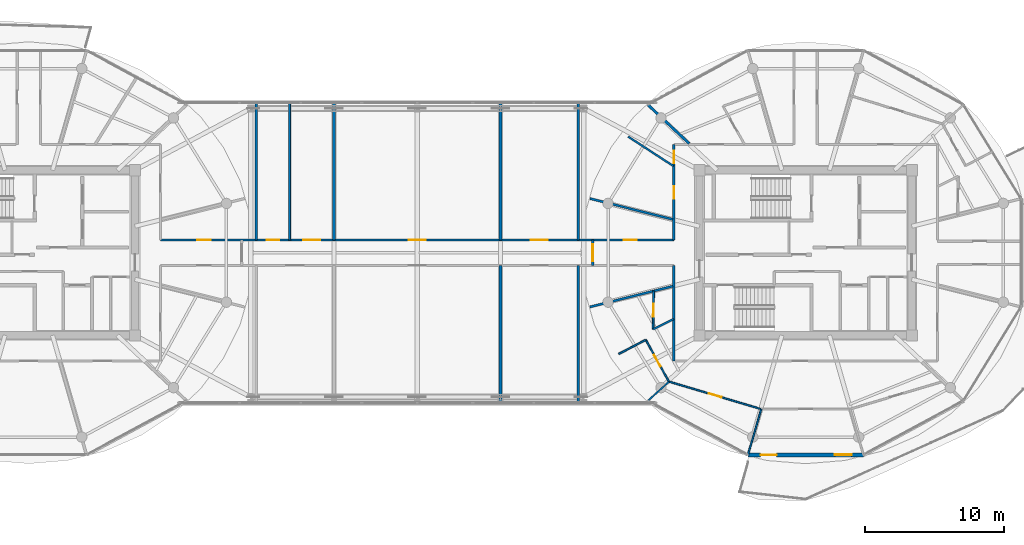
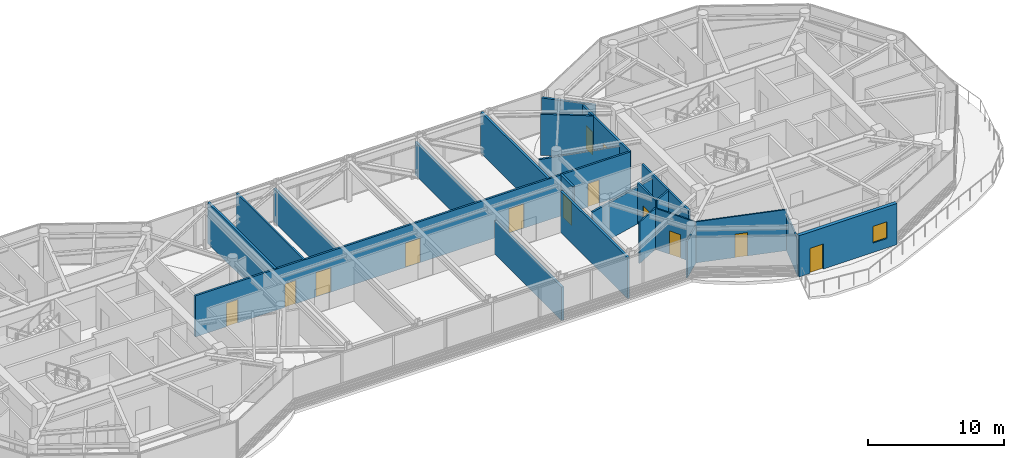
# One storey, part 16 of 24: 23 walls, 13 doors, 1 window, 14 openings.
"""IFC4 building model written with IfcOpenShell, lengths in metres."""

from ifc_helpers import new_model, si_unit, direction, frame, frame_2d, origin, place, context, subcontext, project, spatial, rectangle, extrude, source, transform, mapped, material, layer, layer_set, type_object, type_shapes, element, fill, save


model = new_model("IFC4")

# Units and contexts
model_context = context("Model", 3, precision=1e-05, world=origin(), true_north=direction((0.0, 1.0)))
body_context = subcontext(model_context, "Body", "Model", "MODEL_VIEW")
ifc_project = project(units=[si_unit("LENGTHUNIT", "METRE"), si_unit("AREAUNIT", "SQUARE_METRE"), si_unit("VOLUMEUNIT", "CUBIC_METRE"), si_unit("PLANEANGLEUNIT", "RADIAN"), si_unit("MASSUNIT", "GRAM", prefix="KILO")], contexts=[model_context])

# Site, building, storey
site_placement = place(None, origin())
site = spatial("IfcSite", under=ifc_project, at=site_placement, CompositionType="ELEMENT")
building_placement = place(site_placement, origin())
building = spatial("IfcBuilding", under=site, at=building_placement, Name="Norrkilde Senior Care Towers", CompositionType="ELEMENT")
storey_placement = place(building_placement, frame((0.0, 0.0, 203.800048828125)))
storey = spatial("IfcBuildingStorey", under=building, at=storey_placement, Name="L63", CompositionType="ELEMENT", Elevation=203.800048828125)

# Wall, openings, door, window
ifc_material_1 = material(Name="Precast concrete C45/55", Category="concrete")
ifc_layer_1 = layer(ifc_material_1, 0.2900390625)
ifc_layer_set_1 = layer_set([ifc_layer_1], Name="Precast concrete C45/55")
wall_type_1 = type_object("IfcWallType", Name="Winter Garden Facade Wall 290", PredefinedType="SOLIDWALL", material=ifc_layer_set_1)
shared_shape_1 = source(origin(), body_context, "Body", "SweptSolid", [
    extrude(rectangle(XDim=8.32373046875, YDim=0.2900390625, at=frame_2d((4.161865234375, 0.0))), origin(), (0.0, 0.0, 1.0), 3.7099609375),
])
type_shapes(wall_type_1, [shared_shape_1])
wall_1_placement = place(storey_placement, frame((32.161865234375, -14.566162109375, 0.0), z_axis=(0.0, 0.0, 1.0), x_axis=(-1.0, 0.0, 0.0)))
wall_1 = element("IfcWall", 1, at=wall_1_placement, inside=storey, type_object=wall_type_1, Name="L63 Drum E Balcony Access Wall 08", PredefinedType="SOLIDWALL", context=body_context, shape_type="MappedRepresentation", body=[
    mapped(shared_shape_1, transform((0.0, 0.0, 0.0), x_axis=(1.0, 0.0, 0.0), y_axis=(0.0, 1.0, 0.0), z_axis=(0.0, 0.0, 1.0), scale=1.0)),
])
opening_1_placement = place(wall_1_placement, frame((6.260009765625, 0.0, 0.0)))
opening_1 = element("IfcOpeningElement", 2, at=opening_1_placement, cuts=wall_1, Name="Opening D-09", PredefinedType="OPENING", context=body_context, shape_type="SweptSolid", body=[
    extrude(rectangle(XDim=1.14990234375, YDim=2.25, at=frame_2d((0.574951171875, 1.125))), frame((0.0, 0.155029296875, 0.0), z_axis=(0.0, -1.0, 0.0), x_axis=(1.0, 0.0, 0.0)), (0.0, 0.0, 1.0), 0.31005859375),
])
opening_2_placement = place(wall_1_placement, frame((0.85009765625, 0.0, 0.85009765625)))
opening_2 = element("IfcOpeningElement", 3, at=opening_2_placement, cuts=wall_1, Name="Opening WN-07", PredefinedType="OPENING", context=body_context, shape_type="SweptSolid", body=[
    extrude(rectangle(XDim=1.199951171875, YDim=1.5, at=frame_2d((0.60009765625, 0.75))), frame((0.0, 0.155029296875, 0.0), z_axis=(0.0, -1.0, 0.0), x_axis=(1.0, 0.0, 0.0)), (0.0, 0.0, 1.0), 0.31005859375),
])
ifc_material_2 = material(Name="Anodised Aluminium", Category="aluminium")
door_type_1 = type_object("IfcDoorType", Name="Terrace and Balcony Glazed Door 1150x2250", OperationType="NOTDEFINED", PredefinedType="DOOR", material=ifc_material_2)
shared_shape_2 = source(origin(), body_context, "Body", "SweptSolid", [
    extrude(rectangle(XDim=1.14990234375, YDim=2.25, at=frame_2d((0.574951171875, 1.125))), frame((0.0, 0.02490234375, 0.0), z_axis=(0.0, -1.0, 0.0), x_axis=(1.0, 0.0, 0.0)), (0.0, 0.0, 1.0), 0.050048828125),
])
type_shapes(door_type_1, [shared_shape_2])
door_1_placement = place(opening_1_placement, origin())
door_1 = element("IfcDoor", 4, at=door_1_placement, inside=storey, type_object=door_type_1, Name="L63 Drum E Outdoor Terrace Door 08", OperationType="SINGLE_SWING_LEFT", OverallHeight=2.25, OverallWidth=1.14990234375, PredefinedType="DOOR", context=body_context, shape_type="MappedRepresentation", body=[
    mapped(shared_shape_2, transform((0.0, 0.0, 0.0), x_axis=(1.0, 0.0, 0.0), y_axis=(0.0, 1.0, 0.0), z_axis=(0.0, 0.0, 1.0), scale=1.0)),
])
fill(opening_1, door_1)
ifc_material_3 = material(Name="Triple Low-E Insulated Glazing", Category="glass")
window_type = type_object("IfcWindowType", Name="Stairwell Smoke Vent Window 1200x1500", PartitioningType="SINGLE_PANEL", PredefinedType="WINDOW", material=ifc_material_3)
shared_shape_3 = source(origin(), body_context, "Body", "SweptSolid", [
    extrude(rectangle(XDim=1.199951171875, YDim=1.5, at=frame_2d((0.60009765625, 0.75))), frame((0.0, 0.030029296875, 0.0), z_axis=(0.0, -1.0, 0.0), x_axis=(1.0, 0.0, 0.0)), (0.0, 0.0, 1.0), 0.06005859375),
])
type_shapes(window_type, [shared_shape_3])
window_placement = place(opening_2_placement, origin())
window = element("IfcWindow", 5, at=window_placement, inside=storey, type_object=window_type, Name="L63 Drum E Winter Garden Window 08", OverallHeight=1.5, OverallWidth=1.199951171875, PartitioningType="SINGLE_PANEL", PredefinedType="WINDOW", context=body_context, shape_type="MappedRepresentation", body=[
    mapped(shared_shape_3, transform((0.0, 0.0, 0.0), x_axis=(1.0, 0.0, 0.0), y_axis=(0.0, 1.0, 0.0), z_axis=(0.0, 0.0, 1.0), scale=1.0)),
])
fill(opening_2, window)

# Wall
ifc_material_4 = material(Name="Gypsum Acoustic Board")
ifc_layer_2 = layer(ifc_material_4, 0.1650390625)
ifc_layer_set_2 = layer_set([ifc_layer_2], Name="Gypsum Acoustic Board")
wall_type_2 = type_object("IfcWallType", Name="Corridor Rated Partition 165", PredefinedType="PARTITIONING", material=ifc_layer_set_2)
shared_shape_4 = source(origin(), body_context, "Body", "SweptSolid", [
    extrude(rectangle(XDim=6.880126953125, YDim=0.1650390625, at=frame_2d((3.43994140625, 0.0))), origin(), (0.0, 0.0, 1.0), 3.695068359375),
])
wall_2_placement = place(storey_placement, frame((18.5, -7.800048828125, 0.0), z_axis=(0.0, 0.0, 1.0), x_axis=(0.0, 1.0, 0.0)))
element("IfcWall", 6, at=wall_2_placement, inside=storey, type_object=wall_type_2, Name="WL-INT-L63-E-CRW-W-0", PredefinedType="PARTITIONING", context=body_context, shape_type="MappedRepresentation", body=[
    mapped(shared_shape_4, transform((0.0, 0.0, 0.0), x_axis=(1.0, 0.0, 0.0), y_axis=(0.0, 1.0, 0.0), z_axis=(0.0, 0.0, 1.0), scale=1.0)),
])

# Wall, openings, doors
wall_3_placement = place(storey_placement, frame((18.5, 0.919921875, 0.0), z_axis=(0.0, 0.0, 1.0), x_axis=(0.0, 1.0, 0.0)))
wall_3 = element("IfcWall", 7, at=wall_3_placement, inside=storey, type_object=wall_type_2, Name="WL-INT-L63-E-CRW-W-1", PredefinedType="PARTITIONING", context=body_context, shape_type="MappedRepresentation", body=[
    mapped(shared_shape_4, transform((0.0, 0.0, 0.0), x_axis=(1.0, 0.0, 0.0), y_axis=(0.0, 1.0, 0.0), z_axis=(0.0, 0.0, 1.0), scale=1.0)),
])
opening_3_placement = place(wall_3_placement, frame((5.525146484375, 0.0, 0.0)))
opening_3 = element("IfcOpeningElement", 8, at=opening_3_placement, cuts=wall_3, Name="Opening D-08", PredefinedType="OPENING", context=body_context, shape_type="SweptSolid", body=[
    extrude(rectangle(XDim=0.919921875, YDim=2.10009765625, at=frame_2d((0.4599609375, 1.050048828125))), frame((0.0, 0.092529296875, 0.0), z_axis=(0.0, -1.0, 0.0), x_axis=(1.0, 0.0, 0.0)), (0.0, 0.0, 1.0), 0.18505859375),
])
opening_4_placement = place(wall_3_placement, frame((2.96240234375, 0.0, 0.0)))
opening_4 = element("IfcOpeningElement", 9, at=opening_4_placement, cuts=wall_3, Name="Opening D-08", PredefinedType="OPENING", context=body_context, shape_type="SweptSolid", body=[
    extrude(rectangle(XDim=0.919921875, YDim=2.10009765625, at=frame_2d((0.4599609375, 1.050048828125))), frame((0.0, 0.092529296875, 0.0), z_axis=(0.0, -1.0, 0.0), x_axis=(1.0, 0.0, 0.0)), (0.0, 0.0, 1.0), 0.18505859375),
])
ifc_material_5 = material(Name="Nordic Ash Timber", Category="wood")
door_type_2 = type_object("IfcDoorType", Name="Accessible Wet Room Door 920x2100", OperationType="NOTDEFINED", PredefinedType="DOOR", material=ifc_material_5)
shared_shape_5 = source(origin(), body_context, "Body", "SweptSolid", [
    extrude(rectangle(XDim=0.919921875, YDim=2.10009765625, at=frame_2d((0.4599609375, 1.050048828125))), frame((0.0, 0.02490234375, 0.0), z_axis=(0.0, -1.0, 0.0), x_axis=(1.0, 0.0, 0.0)), (0.0, 0.0, 1.0), 0.050048828125),
])
type_shapes(door_type_2, [shared_shape_5])
door_2_placement = place(opening_3_placement, frame((0.919921875, 0.0, 0.0), z_axis=(0.0, 0.0, 1.0), x_axis=(-1.0, 0.0, 0.0)))
door_2 = element("IfcDoor", 10, at=door_2_placement, inside=storey, type_object=door_type_2, Name="L63 Accessible Restroom Door", OperationType="SINGLE_SWING_LEFT", OverallHeight=2.10009765625, OverallWidth=0.919921875, PredefinedType="DOOR", context=body_context, shape_type="MappedRepresentation", body=[
    mapped(shared_shape_5, transform((0.0, 0.0, 0.0), x_axis=(1.0, 0.0, 0.0), y_axis=(0.0, 1.0, 0.0), z_axis=(0.0, 0.0, 1.0), scale=1.0)),
])
fill(opening_3, door_2)
door_3_placement = place(opening_4_placement, frame((0.919921875, 0.0, 0.0), z_axis=(0.0, 0.0, 1.0), x_axis=(-1.0, 0.0, 0.0)))
door_3 = element("IfcDoor", 11, at=door_3_placement, inside=storey, type_object=door_type_2, Name="L63 Public Restroom Door", OperationType="SINGLE_SWING_RIGHT", OverallHeight=2.10009765625, OverallWidth=0.919921875, PredefinedType="DOOR", context=body_context, shape_type="MappedRepresentation", body=[
    mapped(shared_shape_5, transform((0.0, 0.0, 0.0), x_axis=(1.0, 0.0, 0.0), y_axis=(0.0, 1.0, 0.0), z_axis=(0.0, 0.0, 1.0), scale=1.0)),
])
fill(opening_4, door_3)

# Walls
shared_shape_6 = source(origin(), body_context, "Body", "SweptSolid", [
    extrude(rectangle(XDim=6.1572265625, YDim=0.1650390625, at=frame_2d((3.07861328125, 0.0))), origin(), (0.0, 0.0, 1.0), 3.294921875),
])
for number, where, z_axis, x_axis, name in (
    (12, (18.419921875, 2.407470703125, 0.0), (0.0, 0.0, 1.0), (-0.969840867184, 0.243738984038, 0.0), "WL-INT-L63-E-DEM-05-0"),
    (13, (18.419921875, -2.407470703125, 0.0), (0.0, 0.0, 1.0), (-0.969840867184, -0.243738984038, 0.0), "WL-INT-L63-E-DEM-06-0"),
):
    element("IfcWall", number, at=place(storey_placement, frame(where, z_axis=z_axis, x_axis=x_axis)), inside=storey, type_object=wall_type_2, Name=name, PredefinedType="PARTITIONING", context=body_context, shape_type="MappedRepresentation", body=[
        mapped(shared_shape_6, transform((0.0, 0.0, 0.0), x_axis=(1.0, 0.0, 0.0), y_axis=(0.0, 1.0, 0.0), z_axis=(0.0, 0.0, 1.0), scale=1.0)),
    ])
ifc_layer_3 = layer(ifc_material_4, 0.18994140625)
ifc_layer_set_3 = layer_set([ifc_layer_3], Name="Gypsum Acoustic Board")
wall_type_3 = type_object("IfcWallType", Name="Unit Demising Acoustic Wall 190", PredefinedType="PARTITIONING", material=ifc_layer_set_3)
shared_shape_7 = source(origin(), body_context, "Body", "SweptSolid", [
    extrude(rectangle(XDim=4.089111328125, YDim=0.18994140625, at=frame_2d((2.04443359375, 0.0))), origin(), (0.0, 0.0, 1.0), 3.294921875),
])
wall_4_placement = place(storey_placement, frame((19.59814453125, 7.8798828125, 0.0), z_axis=(0.0, 0.0, 1.0), x_axis=(-0.729401273609, 0.684086092577, 0.0)))
element("IfcWall", 14, at=wall_4_placement, inside=storey, type_object=wall_type_3, Name="WL-INT-L63-E-DEM-04-0", PredefinedType="PARTITIONING", context=body_context, shape_type="MappedRepresentation", body=[
    mapped(shared_shape_7, transform((0.0, 0.0, 0.0), x_axis=(1.0, 0.0, 0.0), y_axis=(0.0, 1.0, 0.0), z_axis=(0.0, 0.0, 1.0), scale=1.0)),
])
ifc_layer_4 = layer(ifc_material_4, 0.139892578125)
ifc_layer_set_4 = layer_set([ifc_layer_4], Name="Gypsum Acoustic Board")
wall_type_4 = type_object("IfcWallType", Name="En-suite Wet Room Wall 140", PredefinedType="PARTITIONING", material=ifc_layer_set_4)
shared_shape_8 = source(origin(), body_context, "Body", "SweptSolid", [
    extrude(rectangle(XDim=3.903564453125, YDim=0.139892578125, at=frame_2d((1.95166015625, 0.0))), origin(), (0.0, 0.0, 1.0), 3.695068359375),
])
wall_5_placement = place(storey_placement, frame((18.469970703125, 6.245849609375, 0.0), z_axis=(0.0, 0.0, 1.0), x_axis=(-0.838024687996, 0.545632314209, 0.0)))
element("IfcWall", 15, at=wall_5_placement, inside=storey, type_object=wall_type_4, Name="WL-INT-L63-E-MID-04", PredefinedType="PARTITIONING", context=body_context, shape_type="MappedRepresentation", body=[
    mapped(shared_shape_8, transform((0.0, 0.0, 0.0), x_axis=(1.0, 0.0, 0.0), y_axis=(0.0, 1.0, 0.0), z_axis=(0.0, 0.0, 1.0), scale=1.0)),
])
ifc_layer_5 = layer(ifc_material_4, 0.114990234375)
ifc_layer_set_5 = layer_set([ifc_layer_5], Name="Gypsum Acoustic Board")
wall_type_5 = type_object("IfcWallType", Name="Internal Room Partition 115", PredefinedType="PARTITIONING", material=ifc_layer_set_5)
shared_shape_9 = source(origin(), body_context, "Body", "SweptSolid", [
    extrude(rectangle(XDim=2.071533203125, YDim=0.114990234375, at=frame_2d((1.03564453125, 0.0))), origin(), (0.0, 0.0, 1.0), 3.294921875),
])
wall_6_placement = place(storey_placement, frame((18.1513671875, -9.287109375, 0.0), z_axis=(0.0, 0.0, 1.0), x_axis=(-0.741410125356, -0.671052178314, 0.0)))
element("IfcWall", 16, at=wall_6_placement, inside=storey, type_object=wall_type_5, Name="WL-INT-L63-E-UBR-06-1", PredefinedType="PARTITIONING", context=body_context, shape_type="MappedRepresentation", body=[
    mapped(shared_shape_9, transform((0.0, 0.0, 0.0), x_axis=(1.0, 0.0, 0.0), y_axis=(0.0, 1.0, 0.0), z_axis=(0.0, 0.0, 1.0), scale=1.0)),
])
shared_shape_10 = source(origin(), body_context, "Body", "SweptSolid", [
    extrude(rectangle(XDim=1.638427734375, YDim=0.139892578125, at=frame_2d((0.8193359375, 0.0))), origin(), (0.0, 0.0, 1.0), 3.695068359375),
])
wall_7_placement = place(storey_placement, frame((18.469970703125, -4.7783203125, 0.0), z_axis=(0.0, 0.0, 1.0), x_axis=(-0.893919977945, -0.448226586707, 0.0)))
element("IfcWall", 17, at=wall_7_placement, inside=storey, type_object=wall_type_4, Name="WL-INT-L63-E-UBTS-06", PredefinedType="PARTITIONING", context=body_context, shape_type="MappedRepresentation", body=[
    mapped(shared_shape_10, transform((0.0, 0.0, 0.0), x_axis=(1.0, 0.0, 0.0), y_axis=(0.0, 1.0, 0.0), z_axis=(0.0, 0.0, 1.0), scale=1.0)),
])

# Wall, opening, door
shared_shape_11 = source(origin(), body_context, "Body", "SweptSolid", [
    extrude(rectangle(XDim=2.7587890625, YDim=0.139892578125, at=frame_2d((1.37939453125, 0.0))), origin(), (0.0, 0.0, 1.0), 3.695068359375),
])
wall_8_placement = place(storey_placement, frame((17.00537109375, -5.5126953125, 0.0), z_axis=(0.0, 0.0, 1.0), x_axis=(0.01194710728, 0.999928630767, 0.0)))
wall_8 = element("IfcWall", 18, at=wall_8_placement, inside=storey, type_object=wall_type_4, Name="WL-INT-L63-E-UBTF-06", PredefinedType="PARTITIONING", context=body_context, shape_type="MappedRepresentation", body=[
    mapped(shared_shape_11, transform((0.0, 0.0, 0.0), x_axis=(1.0, 0.0, 0.0), y_axis=(0.0, 1.0, 0.0), z_axis=(0.0, 0.0, 1.0), scale=1.0)),
])
opening_5_placement = place(wall_8_placement, frame((0.91943359375, 0.0, 0.0)))
opening_5 = element("IfcOpeningElement", 19, at=opening_5_placement, cuts=wall_8, Name="Opening D-08", PredefinedType="OPENING", context=body_context, shape_type="SweptSolid", body=[
    extrude(rectangle(XDim=0.919921875, YDim=2.10009765625, at=frame_2d((0.4599609375, 1.050048828125))), frame((0.0, 0.079833984375, 0.0), z_axis=(0.0, -1.0, 0.0), x_axis=(1.0, 0.0, 0.0)), (0.0, 0.0, 1.0), 0.159912109375),
])
door_4_placement = place(opening_5_placement, origin())
door_4 = element("IfcDoor", 20, at=door_4_placement, inside=storey, type_object=door_type_2, Name="Apartment 63D Bathroom Door", OperationType="SINGLE_SWING_RIGHT", OverallHeight=2.10009765625, OverallWidth=0.919921875, PredefinedType="DOOR", context=body_context, shape_type="MappedRepresentation", body=[
    mapped(shared_shape_5, transform((0.0, 0.0, 0.0), x_axis=(1.0, 0.0, 0.0), y_axis=(0.0, 1.0, 0.0), z_axis=(0.0, 0.0, 1.0), scale=1.0)),
])
fill(opening_5, door_4)

# Wall
shared_shape_12 = source(origin(), body_context, "Body", "SweptSolid", [
    extrude(rectangle(XDim=2.193115234375, YDim=0.114990234375, at=frame_2d((1.0966796875, 0.0))), origin(), (0.0, 0.0, 1.0), 3.695068359375),
])
wall_9_placement = place(storey_placement, frame((16.474609375, -6.27490234375, 0.0), z_axis=(0.0, 0.0, 1.0), x_axis=(-0.885783595046, -0.464098505435, 0.0)))
element("IfcWall", 21, at=wall_9_placement, inside=storey, type_object=wall_type_5, Name="WL-INT-L63-E-UKTS-06", PredefinedType="PARTITIONING", context=body_context, shape_type="MappedRepresentation", body=[
    mapped(shared_shape_12, transform((0.0, 0.0, 0.0), x_axis=(1.0, 0.0, 0.0), y_axis=(0.0, 1.0, 0.0), z_axis=(0.0, 0.0, 1.0), scale=1.0)),
])

# Wall, opening, door
shared_shape_13 = source(origin(), body_context, "Body", "SweptSolid", [
    extrude(rectangle(XDim=3.4501953125, YDim=0.114990234375, at=frame_2d((1.72509765625, 0.0))), origin(), (0.0, 0.0, 1.0), 3.695068359375),
])
wall_10_placement = place(storey_placement, frame((16.474609375, -6.27490234375, 0.0), z_axis=(0.0, 0.0, 1.0), x_axis=(0.483659007882, -0.875256513312, 0.0)))
wall_10 = element("IfcWall", 22, at=wall_10_placement, inside=storey, type_object=wall_type_5, Name="WL-INT-L63-E-UKTF-06", PredefinedType="PARTITIONING", context=body_context, shape_type="MappedRepresentation", body=[
    mapped(shared_shape_13, transform((0.0, 0.0, 0.0), x_axis=(1.0, 0.0, 0.0), y_axis=(0.0, 1.0, 0.0), z_axis=(0.0, 0.0, 1.0), scale=1.0)),
])
opening_6_placement = place(wall_10_placement, frame((1.25, 0.0, 0.0)))
opening_6 = element("IfcOpeningElement", 23, at=opening_6_placement, cuts=wall_10, Name="Opening D-07", PredefinedType="OPENING", context=body_context, shape_type="SweptSolid", body=[
    extrude(rectangle(XDim=0.949951171875, YDim=2.10009765625, at=frame_2d((0.47509765625, 1.050048828125))), frame((0.0, 0.0673828125, 0.0), z_axis=(0.0, -1.0, 0.0), x_axis=(1.0, 0.0, 0.0)), (0.0, 0.0, 1.0), 0.135009765625),
])
door_type_3 = type_object("IfcDoorType", Name="Internal Suite Bedroom Door 950x2100", OperationType="NOTDEFINED", PredefinedType="DOOR", material=ifc_material_5)
shared_shape_14 = source(origin(), body_context, "Body", "SweptSolid", [
    extrude(rectangle(XDim=0.949951171875, YDim=2.10009765625, at=frame_2d((0.47509765625, 1.050048828125))), frame((0.0, 0.02490234375, 0.0), z_axis=(0.0, -1.0, 0.0), x_axis=(1.0, 0.0, 0.0)), (0.0, 0.0, 1.0), 0.050048828125),
])
type_shapes(door_type_3, [shared_shape_14])
door_5_placement = place(opening_6_placement, frame((0.949951171875, 0.0, 0.0), z_axis=(0.0, 0.0, 1.0), x_axis=(-1.0, 0.0, 0.0)))
door_5 = element("IfcDoor", 24, at=door_5_placement, inside=storey, type_object=door_type_3, Name="Apartment 63D Kitchen Door", OperationType="SINGLE_SWING_LEFT", OverallHeight=2.10009765625, OverallWidth=0.949951171875, PredefinedType="DOOR", context=body_context, shape_type="MappedRepresentation", body=[
    mapped(shared_shape_14, transform((0.0, 0.0, 0.0), x_axis=(1.0, 0.0, 0.0), y_axis=(0.0, 1.0, 0.0), z_axis=(0.0, 0.0, 1.0), scale=1.0)),
])
fill(opening_6, door_5)

shared_shape_15 = source(origin(), body_context, "Body", "SweptSolid", [
    extrude(rectangle(XDim=6.935791015625, YDim=0.114990234375, at=frame_2d((3.4677734375, 0.0))), origin(), (0.0, 0.0, 1.0), 3.695068359375),
])
wall_11_placement = place(storey_placement, frame((18.1513671875, -9.287109375, 0.0), z_axis=(0.0, 0.0, 1.0), x_axis=(0.958186895835, -0.286143098205, 0.0)))
wall_11 = element("IfcWall", 25, at=wall_11_placement, inside=storey, type_object=wall_type_5, Name="WL-INT-L63-E-UBC-06-1", PredefinedType="PARTITIONING", context=body_context, shape_type="MappedRepresentation", body=[
    mapped(shared_shape_15, transform((0.0, 0.0, 0.0), x_axis=(1.0, 0.0, 0.0), y_axis=(0.0, 1.0, 0.0), z_axis=(0.0, 0.0, 1.0), scale=1.0)),
])
opening_7_placement = place(wall_11_placement, frame((2.992919921875, 0.0, 0.0)))
opening_7 = element("IfcOpeningElement", 26, at=opening_7_placement, cuts=wall_11, Name="Opening D-07", PredefinedType="OPENING", context=body_context, shape_type="SweptSolid", body=[
    extrude(rectangle(XDim=0.949951171875, YDim=2.10009765625, at=frame_2d((0.47509765625, 1.050048828125))), frame((0.0, 0.0673828125, 0.0), z_axis=(0.0, -1.0, 0.0), x_axis=(1.0, 0.0, 0.0)), (0.0, 0.0, 1.0), 0.135009765625),
])
door_6_placement = place(opening_7_placement, origin())
door_6 = element("IfcDoor", 27, at=door_6_placement, inside=storey, type_object=door_type_3, Name="Apartment 63D Bedroom 1 Door", OperationType="SINGLE_SWING_RIGHT", OverallHeight=2.10009765625, OverallWidth=0.949951171875, PredefinedType="DOOR", context=body_context, shape_type="MappedRepresentation", body=[
    mapped(shared_shape_14, transform((0.0, 0.0, 0.0), x_axis=(1.0, 0.0, 0.0), y_axis=(0.0, 1.0, 0.0), z_axis=(0.0, 0.0, 1.0), scale=1.0)),
])
fill(opening_7, door_6)

# Wall
shared_shape_16 = source(origin(), body_context, "Body", "SweptSolid", [
    extrude(rectangle(XDim=3.453857421875, YDim=0.114990234375, at=frame_2d((1.72705078125, 0.0))), origin(), (0.0, 0.0, 1.0), 3.294921875),
])
type_shapes(wall_type_5, [shared_shape_9, shared_shape_12, shared_shape_13, shared_shape_15, shared_shape_16])
wall_12_placement = place(storey_placement, frame((24.7978515625, -11.26904296875, 0.0), z_axis=(0.0, 0.0, 1.0), x_axis=(-0.279348499358, -0.960189781193, 0.0)))
element("IfcWall", 28, at=wall_12_placement, inside=storey, type_object=wall_type_5, Name="WL-INT-L63-E-UBR-06-2", PredefinedType="PARTITIONING", context=body_context, shape_type="MappedRepresentation", body=[
    mapped(shared_shape_16, transform((0.0, 0.0, 0.0), x_axis=(1.0, 0.0, 0.0), y_axis=(0.0, 1.0, 0.0), z_axis=(0.0, 0.0, 1.0), scale=1.0)),
])

# Wall, opening, door
shared_shape_17 = source(origin(), body_context, "Body", "SweptSolid", [
    extrude(rectangle(XDim=1.83984375, YDim=0.1650390625, at=frame_2d((0.919921875, 0.0))), origin(), (0.0, 0.0, 1.0), 3.695068359375),
])
wall_13_placement = place(storey_placement, frame((12.64990234375, -0.919921875, 0.0), z_axis=(0.0, 0.0, 1.0), x_axis=(0.0, 1.0, 0.0)))
wall_13 = element("IfcWall", 29, at=wall_13_placement, inside=storey, type_object=wall_type_2, Name="WL-INT-L63-BR-GE", PredefinedType="PARTITIONING", context=body_context, shape_type="MappedRepresentation", body=[
    mapped(shared_shape_17, transform((0.0, 0.0, 0.0), x_axis=(1.0, 0.0, 0.0), y_axis=(0.0, 1.0, 0.0), z_axis=(0.0, 0.0, 1.0), scale=1.0)),
])
opening_8_placement = place(wall_13_placement, frame((0.320068359375, 0.0, 0.0)))
opening_8 = element("IfcOpeningElement", 30, at=opening_8_placement, cuts=wall_13, Name="Opening D-04", PredefinedType="OPENING", context=body_context, shape_type="SweptSolid", body=[
    extrude(rectangle(XDim=1.199951171875, YDim=2.14990234375, at=frame_2d((0.60009765625, 1.074951171875))), frame((0.0, 0.092529296875, 0.0), z_axis=(0.0, -1.0, 0.0), x_axis=(1.0, 0.0, 0.0)), (0.0, 0.0, 1.0), 0.18505859375),
])
ifc_material_6 = material(Name="Galvanised Painted Steel", Category="steel")
door_type_4 = type_object("IfcDoorType", Name="Firefighting Lobby Fire Door 1200x2150", OperationType="NOTDEFINED", PredefinedType="DOOR", material=ifc_material_6)
shared_shape_18 = source(origin(), body_context, "Body", "SweptSolid", [
    extrude(rectangle(XDim=1.199951171875, YDim=2.14990234375, at=frame_2d((0.60009765625, 1.074951171875))), frame((0.0, 0.02490234375, 0.0), z_axis=(0.0, -1.0, 0.0), x_axis=(1.0, 0.0, 0.0)), (0.0, 0.0, 1.0), 0.050048828125),
])
type_shapes(door_type_4, [shared_shape_18])
door_7_placement = place(opening_8_placement, origin())
door_7 = element("IfcDoor", 31, at=door_7_placement, inside=storey, type_object=door_type_4, Name="L63 Sky-Gate Bridge GE Fire Door", OperationType="SINGLE_SWING_RIGHT", OverallHeight=2.14990234375, OverallWidth=1.199951171875, PredefinedType="DOOR", context=body_context, shape_type="MappedRepresentation", body=[
    mapped(shared_shape_18, transform((0.0, 0.0, 0.0), x_axis=(1.0, 0.0, 0.0), y_axis=(0.0, 1.0, 0.0), z_axis=(0.0, 0.0, 1.0), scale=1.0)),
])
fill(opening_8, door_7)

# Wall, openings, doors
shared_shape_19 = source(origin(), body_context, "Body", "SweptSolid", [
    extrude(rectangle(XDim=37.0, YDim=0.1650390625, at=frame_2d((18.5, 0.0))), origin(), (0.0, 0.0, 1.0), 3.695068359375),
])
type_shapes(wall_type_2, [shared_shape_4, shared_shape_6, shared_shape_17, shared_shape_19])
wall_14_placement = place(storey_placement, frame((-18.5, 0.919921875, 0.0), z_axis=(0.0, 0.0, 1.0), x_axis=(1.0, 0.0, 0.0)))
wall_14 = element("IfcWall", 32, at=wall_14_placement, inside=storey, type_object=wall_type_2, Name="WL-INT-L63-BR-CN", PredefinedType="PARTITIONING", context=body_context, shape_type="MappedRepresentation", body=[
    mapped(shared_shape_19, transform((0.0, 0.0, 0.0), x_axis=(1.0, 0.0, 0.0), y_axis=(0.0, 1.0, 0.0), z_axis=(0.0, 0.0, 1.0), scale=1.0)),
])
opening_9_placement = place(wall_14_placement, frame((2.66162109375, 0.0, 0.0)))
opening_9 = element("IfcOpeningElement", 33, at=opening_9_placement, cuts=wall_14, Name="Opening D-07", PredefinedType="OPENING", context=body_context, shape_type="SweptSolid", body=[
    extrude(rectangle(XDim=0.949951171875, YDim=2.10009765625, at=frame_2d((0.47509765625, 1.050048828125))), frame((0.0, 0.092529296875, 0.0), z_axis=(0.0, -1.0, 0.0), x_axis=(1.0, 0.0, 0.0)), (0.0, 0.0, 1.0), 0.18505859375),
])
opening_10_placement = place(wall_14_placement, frame((33.38818359375, 0.0, 0.0)))
opening_10 = element("IfcOpeningElement", 34, at=opening_10_placement, cuts=wall_14, Name="Opening D-07", PredefinedType="OPENING", context=body_context, shape_type="SweptSolid", body=[
    extrude(rectangle(XDim=0.949951171875, YDim=2.10009765625, at=frame_2d((0.47509765625, 1.050048828125))), frame((0.0, 0.092529296875, 0.0), z_axis=(0.0, -1.0, 0.0), x_axis=(1.0, 0.0, 0.0)), (0.0, 0.0, 1.0), 0.18505859375),
])
opening_11_placement = place(wall_14_placement, frame((7.639892578125, 0.0, 0.0)))
opening_11 = element("IfcOpeningElement", 35, at=opening_11_placement, cuts=wall_14, Name="Opening D-08", PredefinedType="OPENING", context=body_context, shape_type="SweptSolid", body=[
    extrude(rectangle(XDim=0.919921875, YDim=2.10009765625, at=frame_2d((0.4599609375, 1.050048828125))), frame((0.0, 0.092529296875, 0.0), z_axis=(0.0, -1.0, 0.0), x_axis=(1.0, 0.0, 0.0)), (0.0, 0.0, 1.0), 0.18505859375),
])
opening_12_placement = place(wall_14_placement, frame((10.27490234375, 0.0, 0.0)))
opening_12 = element("IfcOpeningElement", 36, at=opening_12_placement, cuts=wall_14, Name="Opening D-05", PredefinedType="OPENING", context=body_context, shape_type="SweptSolid", body=[
    extrude(rectangle(XDim=1.25, YDim=2.199951171875, at=frame_2d((0.625, 1.10009765625))), frame((0.0, 0.092529296875, 0.0), z_axis=(0.0, -1.0, 0.0), x_axis=(1.0, 0.0, 0.0)), (0.0, 0.0, 1.0), 0.18505859375),
])
opening_13_placement = place(wall_14_placement, frame((17.875, 0.0, 0.0)))
opening_13 = element("IfcOpeningElement", 37, at=opening_13_placement, cuts=wall_14, Name="Opening D-05", PredefinedType="OPENING", context=body_context, shape_type="SweptSolid", body=[
    extrude(rectangle(XDim=1.25, YDim=2.199951171875, at=frame_2d((0.625, 1.10009765625))), frame((0.0, 0.092529296875, 0.0), z_axis=(0.0, -1.0, 0.0), x_axis=(1.0, 0.0, 0.0)), (0.0, 0.0, 1.0), 0.18505859375),
])
opening_14_placement = place(wall_14_placement, frame((26.675048828125, 0.0, 0.0)))
opening_14 = element("IfcOpeningElement", 38, at=opening_14_placement, cuts=wall_14, Name="Opening D-05", PredefinedType="OPENING", context=body_context, shape_type="SweptSolid", body=[
    extrude(rectangle(XDim=1.25, YDim=2.199951171875, at=frame_2d((0.625, 1.10009765625))), frame((0.0, 0.092529296875, 0.0), z_axis=(0.0, -1.0, 0.0), x_axis=(1.0, 0.0, 0.0)), (0.0, 0.0, 1.0), 0.18505859375),
])
door_type_5 = type_object("IfcDoorType", Name="Care Bedroom Bariatric Door 1250x2200", OperationType="NOTDEFINED", PredefinedType="DOOR", material=ifc_material_5)
shared_shape_20 = source(origin(), body_context, "Body", "SweptSolid", [
    extrude(rectangle(XDim=1.25, YDim=2.199951171875, at=frame_2d((0.625, 1.10009765625))), frame((0.0, 0.02490234375, 0.0), z_axis=(0.0, -1.0, 0.0), x_axis=(1.0, 0.0, 0.0)), (0.0, 0.0, 1.0), 0.050048828125),
])
type_shapes(door_type_5, [shared_shape_20])
door_8_placement = place(opening_12_placement, frame((1.25, 0.0, 0.0), z_axis=(0.0, 0.0, 1.0), x_axis=(-1.0, 0.0, 0.0)))
door_8 = element("IfcDoor", 39, at=door_8_placement, inside=storey, type_object=door_type_5, Name="L63 Bridge North Clinic 1 Door", OperationType="SINGLE_SWING_RIGHT", OverallHeight=2.199951171875, OverallWidth=1.25, PredefinedType="DOOR", context=body_context, shape_type="MappedRepresentation", body=[
    mapped(shared_shape_20, transform((0.0, 0.0, 0.0), x_axis=(1.0, 0.0, 0.0), y_axis=(0.0, 1.0, 0.0), z_axis=(0.0, 0.0, 1.0), scale=1.0)),
])
fill(opening_12, door_8)
door_9_placement = place(opening_13_placement, frame((1.25, 0.0, 0.0), z_axis=(0.0, 0.0, 1.0), x_axis=(-1.0, 0.0, 0.0)))
door_9 = element("IfcDoor", 40, at=door_9_placement, inside=storey, type_object=door_type_5, Name="L63 Bridge North Room 2 Door", OperationType="SINGLE_SWING_LEFT", OverallHeight=2.199951171875, OverallWidth=1.25, PredefinedType="DOOR", context=body_context, shape_type="MappedRepresentation", body=[
    mapped(shared_shape_20, transform((0.0, 0.0, 0.0), x_axis=(1.0, 0.0, 0.0), y_axis=(0.0, 1.0, 0.0), z_axis=(0.0, 0.0, 1.0), scale=1.0)),
])
fill(opening_13, door_9)
door_10_placement = place(opening_14_placement, frame((1.25, 0.0, 0.0), z_axis=(0.0, 0.0, 1.0), x_axis=(-1.0, 0.0, 0.0)))
door_10 = element("IfcDoor", 41, at=door_10_placement, inside=storey, type_object=door_type_5, Name="L63 Bridge North Room 3 Door", OperationType="SINGLE_SWING_RIGHT", OverallHeight=2.199951171875, OverallWidth=1.25, PredefinedType="DOOR", context=body_context, shape_type="MappedRepresentation", body=[
    mapped(shared_shape_20, transform((0.0, 0.0, 0.0), x_axis=(1.0, 0.0, 0.0), y_axis=(0.0, 1.0, 0.0), z_axis=(0.0, 0.0, 1.0), scale=1.0)),
])
fill(opening_14, door_10)
door_11_placement = place(opening_11_placement, frame((0.919921875, 0.0, 0.0), z_axis=(0.0, 0.0, 1.0), x_axis=(-1.0, 0.0, 0.0)))
door_11 = element("IfcDoor", 42, at=door_11_placement, inside=storey, type_object=door_type_2, Name="L63 Bridge Accessible WC Door", OperationType="SINGLE_SWING_LEFT", OverallHeight=2.10009765625, OverallWidth=0.919921875, PredefinedType="DOOR", context=body_context, shape_type="MappedRepresentation", body=[
    mapped(shared_shape_5, transform((0.0, 0.0, 0.0), x_axis=(1.0, 0.0, 0.0), y_axis=(0.0, 1.0, 0.0), z_axis=(0.0, 0.0, 1.0), scale=1.0)),
])
fill(opening_11, door_11)
door_12_placement = place(opening_9_placement, frame((0.949951171875, 0.0, 0.0), z_axis=(0.0, 0.0, 1.0), x_axis=(-1.0, 0.0, 0.0)))
door_12 = element("IfcDoor", 43, at=door_12_placement, inside=storey, type_object=door_type_3, Name="L63 Sun Reading Lounge 6 Door", OperationType="SINGLE_SWING_LEFT", OverallHeight=2.10009765625, OverallWidth=0.949951171875, PredefinedType="DOOR", context=body_context, shape_type="MappedRepresentation", body=[
    mapped(shared_shape_14, transform((0.0, 0.0, 0.0), x_axis=(1.0, 0.0, 0.0), y_axis=(0.0, 1.0, 0.0), z_axis=(0.0, 0.0, 1.0), scale=1.0)),
])
fill(opening_9, door_12)
door_13_placement = place(opening_10_placement, frame((0.949951171875, 0.0, 0.0), z_axis=(0.0, 0.0, 1.0), x_axis=(-1.0, 0.0, 0.0)))
door_13 = element("IfcDoor", 44, at=door_13_placement, inside=storey, type_object=door_type_3, Name="L63 Sun Reading Lounge 2 Door", OperationType="SINGLE_SWING_LEFT", OverallHeight=2.10009765625, OverallWidth=0.949951171875, PredefinedType="DOOR", context=body_context, shape_type="MappedRepresentation", body=[
    mapped(shared_shape_14, transform((0.0, 0.0, 0.0), x_axis=(1.0, 0.0, 0.0), y_axis=(0.0, 1.0, 0.0), z_axis=(0.0, 0.0, 1.0), scale=1.0)),
])
fill(opening_10, door_13)

# Walls
shared_shape_21 = source(origin(), body_context, "Body", "SweptSolid", [
    extrude(rectangle(XDim=9.880126953125, YDim=0.18994140625, at=frame_2d((4.93994140625, 0.0))), origin(), (0.0, 0.0, 1.0), 3.695068359375),
])
for number, where, z_axis, x_axis, name in (
    (45, (-11.60009765625, 0.919921875, 0.0), (0.0, 0.0, 1.0), (0.0, 1.0, 0.0), "WL-INT-L63-BR-EN-12"),
    (46, (11.60009765625, -10.800048828125, 0.0), (0.0, 0.0, 1.0), (0.0, 1.0, 0.0), "WL-INT-L63-BR-ES+12"),
    (47, (11.60009765625, 0.919921875, 0.0), (0.0, 0.0, 1.0), (0.0, 1.0, 0.0), "WL-INT-L63-BR-EN+12"),
):
    element("IfcWall", number, at=place(storey_placement, frame(where, z_axis=z_axis, x_axis=x_axis)), inside=storey, type_object=wall_type_3, Name=name, PredefinedType="PARTITIONING", context=body_context, shape_type="MappedRepresentation", body=[
        mapped(shared_shape_21, transform((0.0, 0.0, 0.0), x_axis=(1.0, 0.0, 0.0), y_axis=(0.0, 1.0, 0.0), z_axis=(0.0, 0.0, 1.0), scale=1.0)),
    ])
shared_shape_22 = source(origin(), body_context, "Body", "SweptSolid", [
    extrude(rectangle(XDim=9.880126953125, YDim=0.18994140625, at=frame_2d((4.93994140625, 0.0))), origin(), (0.0, 0.0, 1.0), 2.994873046875),
])
type_shapes(wall_type_3, [shared_shape_7, shared_shape_21, shared_shape_22])
for number, where, z_axis, x_axis, name in (
    (48, (-6.0, 0.919921875, 0.0), (0.0, 0.0, 1.0), (0.0, 1.0, 0.0), "WL-INT-L63-BR-VN1"),
    (49, (6.0, -10.800048828125, 0.0), (0.0, 0.0, 1.0), (0.0, 1.0, 0.0), "WL-INT-L63-BR-VS2"),
    (50, (6.0, 0.919921875, 0.0), (0.0, 0.0, 1.0), (0.0, 1.0, 0.0), "WL-INT-L63-BR-VN2"),
):
    element("IfcWall", number, at=place(storey_placement, frame(where, z_axis=z_axis, x_axis=x_axis)), inside=storey, type_object=wall_type_3, Name=name, PredefinedType="PARTITIONING", context=body_context, shape_type="MappedRepresentation", body=[
        mapped(shared_shape_22, transform((0.0, 0.0, 0.0), x_axis=(1.0, 0.0, 0.0), y_axis=(0.0, 1.0, 0.0), z_axis=(0.0, 0.0, 1.0), scale=1.0)),
    ])
shared_shape_23 = source(origin(), body_context, "Body", "SweptSolid", [
    extrude(rectangle(XDim=9.880126953125, YDim=0.139892578125, at=frame_2d((4.93994140625, 0.0))), origin(), (0.0, 0.0, 1.0), 3.695068359375),
])
type_shapes(wall_type_4, [shared_shape_8, shared_shape_10, shared_shape_11, shared_shape_23])
wall_15_placement = place(storey_placement, frame((-9.199951171875, 0.919921875, 0.0), z_axis=(0.0, 0.0, 1.0), x_axis=(0.0, 1.0, 0.0)))
element("IfcWall", 51, at=wall_15_placement, inside=storey, type_object=wall_type_4, Name="WL-INT-L63-BR-NWCV", PredefinedType="PARTITIONING", context=body_context, shape_type="MappedRepresentation", body=[
    mapped(shared_shape_23, transform((0.0, 0.0, 0.0), x_axis=(1.0, 0.0, 0.0), y_axis=(0.0, 1.0, 0.0), z_axis=(0.0, 0.0, 1.0), scale=1.0)),
])

save(model, "model.ifc")
